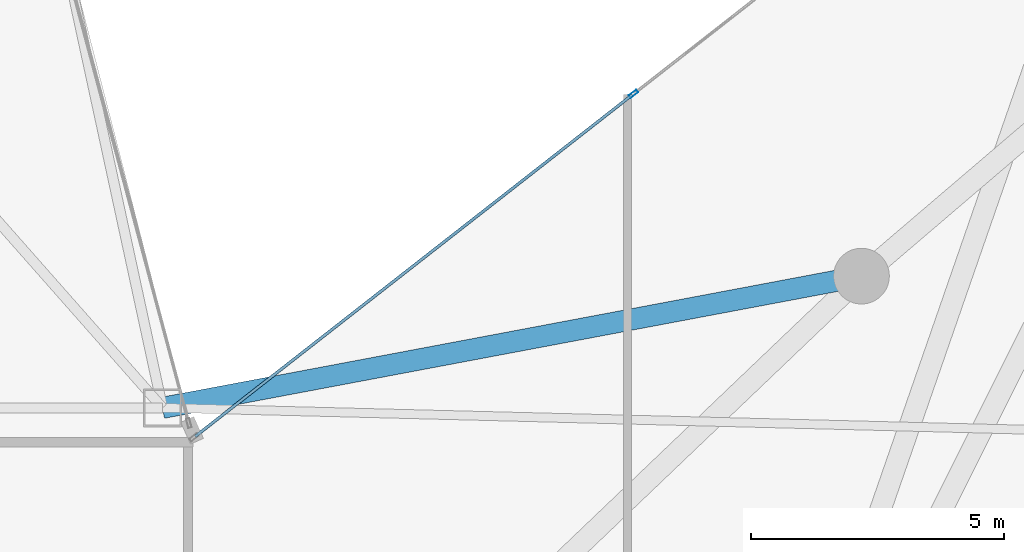
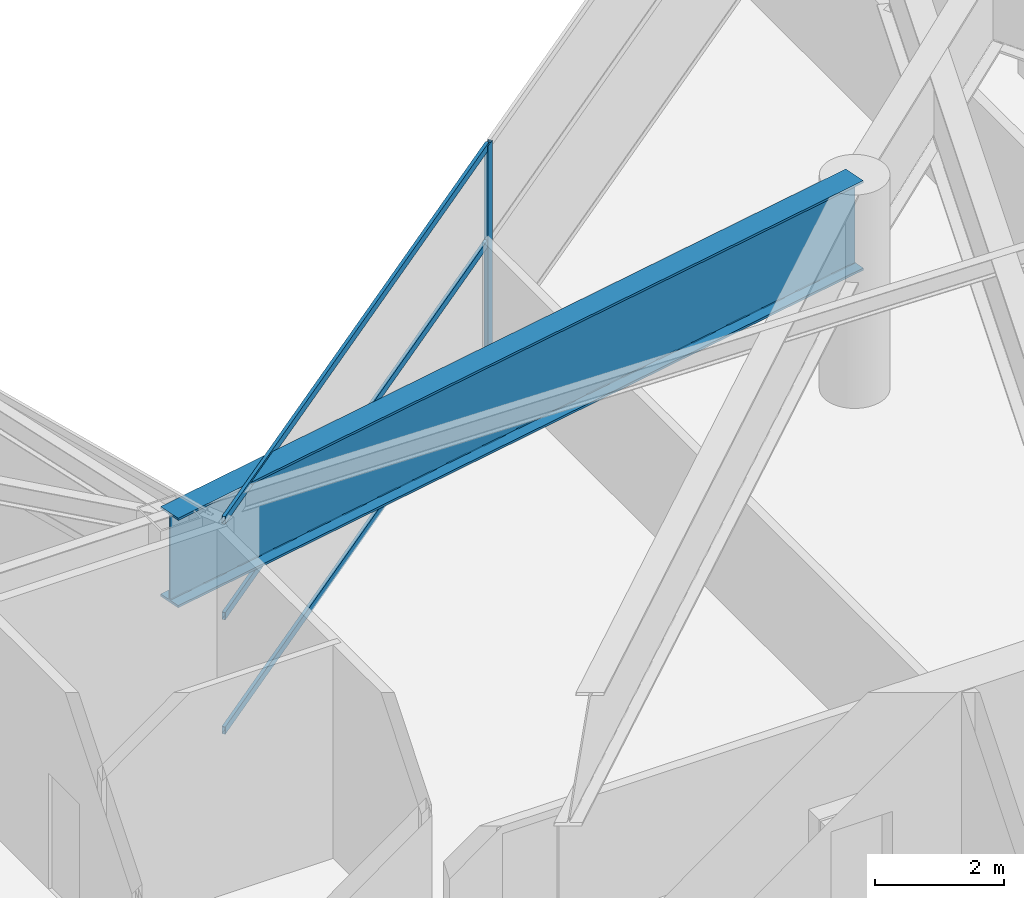
# One storey, part 11 of 29: 4 members, 1 beam, 1 element without a shape of its own.
"""IFC4 building model written with IfcOpenShell, lengths in metres."""

from ifc_helpers import new_model, si_unit, direction, frame, origin, origin_2d, place, context, subcontext, project, spatial, hollow_rectangle, i_section, extrude, material, layer, layer_set, material_profile, profile_set, type_object, element, aggregate, save


model = new_model("IFC4")

# Units and contexts
model_context = context("Model", 3, precision=1e-05, world=origin(), true_north=direction((0.0, 1.0)))
body_context = subcontext(model_context, "Body", "Model", "MODEL_VIEW")
ifc_project = project(units=[si_unit("LENGTHUNIT", "METRE"), si_unit("AREAUNIT", "SQUARE_METRE"), si_unit("VOLUMEUNIT", "CUBIC_METRE"), si_unit("PLANEANGLEUNIT", "RADIAN"), si_unit("MASSUNIT", "GRAM", prefix="KILO")], contexts=[model_context])

# Site, building, storey
site_placement = place(None, origin())
site = spatial("IfcSite", under=ifc_project, at=site_placement, CompositionType="ELEMENT")
building_placement = place(site_placement, origin())
building = spatial("IfcBuilding", under=site, at=building_placement, Name="Calvorn Quay Hotel", CompositionType="ELEMENT")
storey_placement = place(building_placement, frame((0.0, 0.0, 214.800048828125)))
storey = spatial("IfcBuildingStorey", under=building, at=storey_placement, Name="L53", CompositionType="ELEMENT", Elevation=214.800048828125)

# Beam
ifc_material_1 = material(Name="Steel Q420GJC", Category="steel")
ifc_material_profile_1 = material_profile(ifc_material_1, i_section(OverallWidth=0.419921875, OverallDepth=1.699951171875, WebThickness=0.02392578125, FlangeThickness=0.0419921875, FilletRadius=0.02392578125, at=origin_2d()), Name="HN1700x420x24x42")
ifc_profile_set_1 = profile_set([ifc_material_profile_1], Name="Steel Q420GJC")
beam_type = type_object("IfcBeamType", Name="BM-XFER-SAWTOOTH", PredefinedType="BEAM", material=ifc_profile_set_1)
beam_placement = place(storey_placement, frame((34.800048828125, 27.60009765625, 3.199951171875), z_axis=(-0.982709432406, -0.185154452988, 0.0), x_axis=(0.185154452988, -0.982709432406, 0.0)))
element("IfcBeam", 1, at=beam_placement, inside=storey, type_object=beam_type, Name="Beam BSP-L53-E4", PredefinedType="BEAM", context=body_context, shape_type="SweptSolid", body=[
    extrude(i_section(OverallWidth=0.419921875, OverallDepth=1.699951171875, WebThickness=0.02392578125, FlangeThickness=0.0419921875, FilletRadius=0.02392578125, at=origin_2d()), origin(), (0.0, 0.0, 1.0), 14.04296875),
])

# Curtain wall, members
ifc_material_2 = material(Name="Champagne Bronze Anodised Aluminium and Low-E Glass", Category="aluminium")
ifc_layer = layer(ifc_material_2, 0.219970703125)
ifc_layer_set = layer_set([ifc_layer], Name="CW-SYS-Z3")
curtain_wall_type = type_object("IfcCurtainWallType", Name="CW-SYS-Z3", PredefinedType="NOTDEFINED", material=ifc_layer_set)
curtain_wall_placement = place(storey_placement, origin())
curtain_wall = element("IfcCurtainWall", 2, at=curtain_wall_placement, inside=storey, type_object=curtain_wall_type, Name="Inner Court Curtain Wall L53-NE1", PredefinedType="NOTDEFINED")
ifc_material_3 = material(Name="Champagne Bronze Anodised Aluminium 6063-T6", Category="aluminium")
ifc_material_profile_2 = material_profile(ifc_material_3, hollow_rectangle(XDim=0.068115234375, YDim=0.18505859375, WallThickness=0.00390625, at=origin_2d()), Name="ALU-M185x68x4")
ifc_profile_set_2 = profile_set([ifc_material_profile_2], Name="Champagne Bronze Anodised Aluminium 6063-T6")
member_type_1 = type_object("IfcMemberType", Name="CW-SYS-Z3-MUL", PredefinedType="MULLION", material=ifc_profile_set_2)
member_1_placement = place(storey_placement, frame((30.300048828125, 31.199951171875, 0.0), z_axis=(0.0, 0.0, 1.0), x_axis=(0.615819768044, -0.787887056174, 0.0)))
member_1 = element("IfcMember", 3, at=member_1_placement, type_object=member_type_1, Name="CW-L53-NE1 mullion 2", PredefinedType="MULLION", context=body_context, shape_type="SweptSolid", body=[
    extrude(hollow_rectangle(XDim=0.068115234375, YDim=0.18505859375, WallThickness=0.00390625, at=origin_2d()), origin(), (0.0, 0.0, 1.0), 4.050048828125),
])
ifc_material_4 = material(Name="Champagne Bronze Anodised Aluminium 6063-T6", Category="aluminium")
ifc_material_profile_3 = material_profile(ifc_material_4, hollow_rectangle(XDim=0.05810546875, YDim=0.139892578125, WallThickness=0.003173828125, at=origin_2d()), Name="ALU-T140x58x3.2")
ifc_profile_set_3 = profile_set([ifc_material_profile_3], Name="Champagne Bronze Anodised Aluminium 6063-T6")
member_type_2 = type_object("IfcMemberType", Name="CW-SYS-Z3-TRN", PredefinedType="USERDEFINED", material=ifc_profile_set_3)
member_2_placement = place(storey_placement, frame((30.2763671875, 31.181640625, 0.030029296875), z_axis=(-0.787886807538, -0.615820086152, 0.0), x_axis=(0.615820086152, -0.787886807538, 0.0)))
member_2 = element("IfcMember", 4, at=member_2_placement, type_object=member_type_2, Name="CW-L53-NE1 transom 2.1", ObjectType="TRANSOM", PredefinedType="USERDEFINED", context=body_context, shape_type="SweptSolid", body=[
    extrude(hollow_rectangle(XDim=0.05810546875, YDim=0.139892578125, WallThickness=0.003173828125, at=origin_2d()), origin(), (0.0, 0.0, 1.0), 10.952392578125),
])
member_3_placement = place(storey_placement, frame((30.2763671875, 31.181640625, 2.199951171875), z_axis=(-0.787886807538, -0.615820086152, 0.0), x_axis=(0.615820086152, -0.787886807538, 0.0)))
member_3 = element("IfcMember", 5, at=member_3_placement, type_object=member_type_2, Name="CW-L53-NE1 transom 2.2", ObjectType="TRANSOM", PredefinedType="USERDEFINED", context=body_context, shape_type="SweptSolid", body=[
    extrude(hollow_rectangle(XDim=0.05810546875, YDim=0.139892578125, WallThickness=0.003173828125, at=origin_2d()), origin(), (0.0, 0.0, 1.0), 10.952392578125),
])
member_4_placement = place(storey_placement, frame((30.2763671875, 31.181640625, 4.02001953125), z_axis=(-0.787886807538, -0.615820086152, 0.0), x_axis=(0.615820086152, -0.787886807538, 0.0)))
member_4 = element("IfcMember", 6, at=member_4_placement, type_object=member_type_2, Name="CW-L53-NE1 transom 2.3", ObjectType="TRANSOM", PredefinedType="USERDEFINED", context=body_context, shape_type="SweptSolid", body=[
    extrude(hollow_rectangle(XDim=0.05810546875, YDim=0.139892578125, WallThickness=0.003173828125, at=origin_2d()), origin(), (0.0, 0.0, 1.0), 10.952392578125),
])
aggregate(curtain_wall, [member_1, member_2, member_3, member_4])

save(model, "model.ifc")
